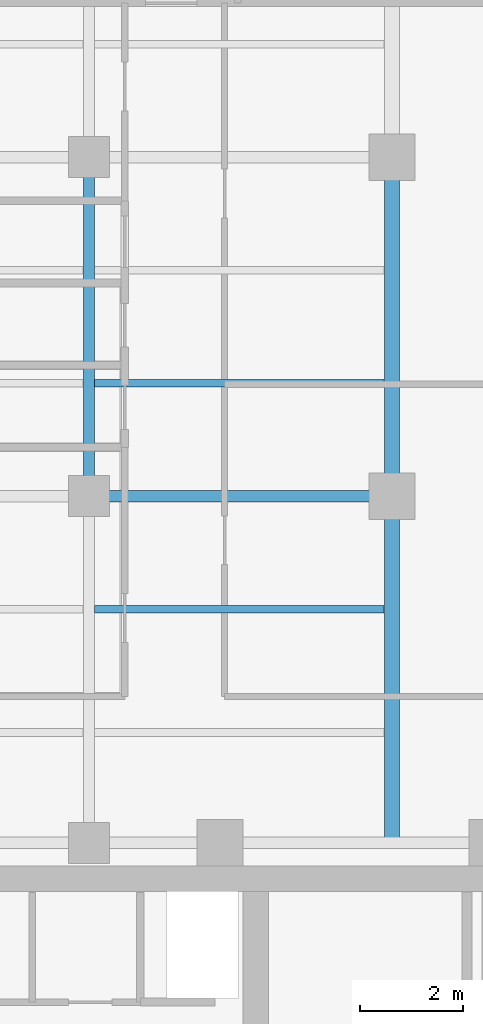
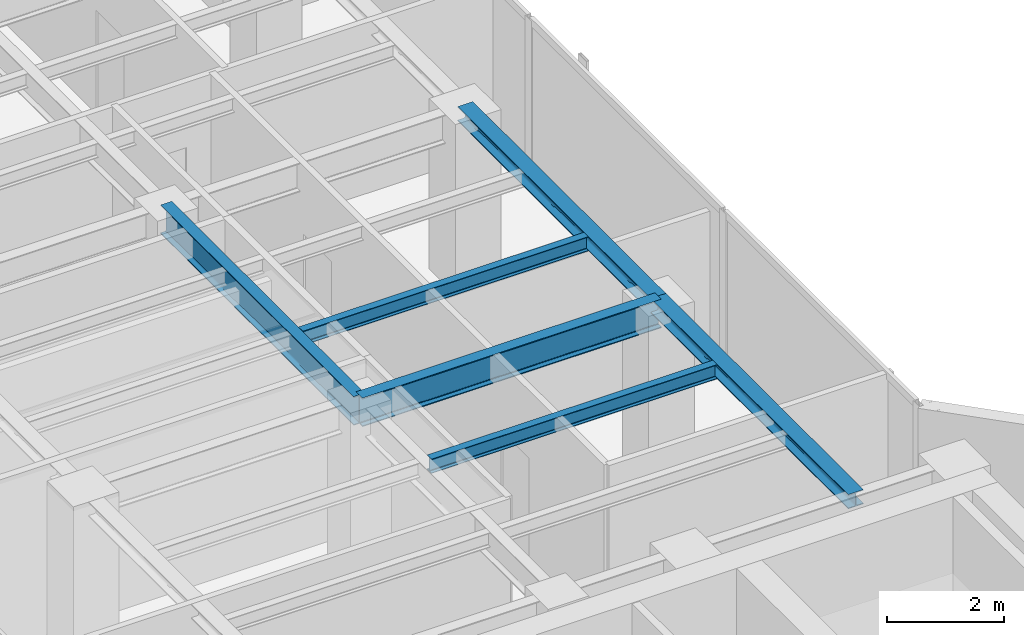
# One storey, part 9 of 24: 6 beams.
"""IFC4 building model written with IfcOpenShell, lengths in metres."""

from ifc_helpers import new_model, si_unit, direction, frame, origin, origin_2d, place, context, subcontext, project, spatial, i_section, extrude, material, material_profile, profile_set, type_object, element, save


model = new_model("IFC4")

# Units and contexts
model_context = context("Model", 3, precision=1e-05, world=origin(), true_north=direction((0.0, 1.0)))
body_context = subcontext(model_context, "Body", "Model", "MODEL_VIEW")
ifc_project = project(units=[si_unit("LENGTHUNIT", "METRE"), si_unit("AREAUNIT", "SQUARE_METRE"), si_unit("VOLUMEUNIT", "CUBIC_METRE"), si_unit("PLANEANGLEUNIT", "RADIAN"), si_unit("MASSUNIT", "GRAM", prefix="KILO")], contexts=[model_context])

# Site, building, storey
site_placement = place(None, origin())
site = spatial("IfcSite", under=ifc_project, at=site_placement, CompositionType="ELEMENT")
building_placement = place(site_placement, origin())
building = spatial("IfcBuilding", under=site, at=building_placement, Name="Kolvaren Waterfront Exchange", CompositionType="ELEMENT")
storey_placement = place(building_placement, frame((0.0, 0.0, 300.800048828125)))
storey = spatial("IfcBuildingStorey", under=building, at=storey_placement, Name="L77", CompositionType="ELEMENT", Elevation=300.800048828125)

# Beams
ifc_material = material(Name="Steel S355", Category="steel")
ifc_material_profile_1 = material_profile(ifc_material, i_section(OverallWidth=0.300048828125, OverallDepth=0.300048828125, WebThickness=0.010986328125, FlangeThickness=0.01904296875, FilletRadius=0.027099609375, at=origin_2d()), Name="HEB300")
ifc_profile_set_1 = profile_set([ifc_material_profile_1], Name="Steel S355")
beam_type_1 = type_object("IfcBeamType", Name="STR-BM-HEB300", PredefinedType="SPANDREL", material=ifc_profile_set_1)
beam_1_placement = place(storey_placement, frame((18.800048828125, 24.449951171875, 3.409912109375), z_axis=(0.0, 1.0, 0.0), x_axis=(-1.0, 0.0, 0.0)))
element("IfcBeam", 1, at=beam_1_placement, inside=storey, type_object=beam_type_1, Name="L77 north-arm edge beam 1", PredefinedType="SPANDREL", context=body_context, shape_type="SweptSolid", body=[
    extrude(i_section(OverallWidth=0.300048828125, OverallDepth=0.300048828125, WebThickness=0.010986328125, FlangeThickness=0.01904296875, FilletRadius=0.027099609375, at=origin_2d()), origin(), (0.0, 0.0, 1.0), 6.75),
])
beam_2_placement = place(storey_placement, frame((18.800048828125, 31.199951171875, 3.409912109375), z_axis=(0.0, 1.0, 0.0), x_axis=(-1.0, 0.0, 0.0)))
element("IfcBeam", 2, at=beam_2_placement, inside=storey, type_object=beam_type_1, Name="L77 north-arm edge beam 2", PredefinedType="SPANDREL", context=body_context, shape_type="SweptSolid", body=[
    extrude(i_section(OverallWidth=0.300048828125, OverallDepth=0.300048828125, WebThickness=0.010986328125, FlangeThickness=0.01904296875, FilletRadius=0.027099609375, at=origin_2d()), origin(), (0.0, 0.0, 1.0), 6.60009765625),
])
ifc_material_profile_2 = material_profile(ifc_material, i_section(OverallWidth=0.14990234375, OverallDepth=0.300048828125, WebThickness=0.007080078125, FlangeThickness=0.0107421875, FilletRadius=0.014892578125, at=origin_2d()), Name="IPE300")
ifc_profile_set_2 = profile_set([ifc_material_profile_2], Name="Steel S355")
beam_type_2 = type_object("IfcBeamType", Name="STR-BM-IPE300", PredefinedType="JOIST", material=ifc_profile_set_2)
for number, where, z_axis, x_axis, name in (
    (3, (13.011962890625, 29.0, 3.409912109375), (1.0, 0.0, 0.0), (0.0, 1.0, 0.0), "L77 north-arm composite joist 2B"),
    (4, (13.011962890625, 33.39990234375, 3.409912109375), (1.0, 0.0, 0.0), (0.0, 1.0, 0.0), "L77 north-arm composite joist 3B"),
):
    element("IfcBeam", number, at=place(storey_placement, frame(where, z_axis=z_axis, x_axis=x_axis)), inside=storey, type_object=beam_type_2, Name=name, PredefinedType="JOIST", context=body_context, shape_type="SweptSolid", body=[
        extrude(i_section(OverallWidth=0.14990234375, OverallDepth=0.300048828125, WebThickness=0.007080078125, FlangeThickness=0.0107421875, FilletRadius=0.014892578125, at=origin_2d()), origin(), (0.0, 0.0, 1.0), 5.635986328125),
    ])
ifc_material_profile_3 = material_profile(ifc_material, i_section(OverallWidth=0.219970703125, OverallDepth=0.60009765625, WebThickness=0.011962890625, FlangeThickness=0.01904296875, FilletRadius=0.02392578125, at=origin_2d()), Name="IPE600")
ifc_profile_set_3 = profile_set([ifc_material_profile_3], Name="Steel S355")
beam_type_3 = type_object("IfcBeamType", Name="STR-BM-IPE600", PredefinedType="BEAM", material=ifc_profile_set_3)
beam_3_placement = place(storey_placement, frame((12.89990234375, 31.199951171875, 3.260009765625), z_axis=(1.0, 0.0, 0.0), x_axis=(0.0, 1.0, 0.0)))
element("IfcBeam", 5, at=beam_3_placement, inside=storey, type_object=beam_type_3, Name="L77 north-arm girder 2B", PredefinedType="BEAM", context=body_context, shape_type="SweptSolid", body=[
    extrude(i_section(OverallWidth=0.219970703125, OverallDepth=0.60009765625, WebThickness=0.011962890625, FlangeThickness=0.01904296875, FilletRadius=0.02392578125, at=origin_2d()), origin(), (0.0, 0.0, 1.0), 5.900146484375),
])
beam_4_placement = place(storey_placement, frame((12.89990234375, 31.199951171875, 3.260009765625), z_axis=(0.0, 1.0, 0.0), x_axis=(-1.0, 0.0, 0.0)))
element("IfcBeam", 6, at=beam_4_placement, inside=storey, type_object=beam_type_3, Name="L77 north-arm edge beam 2", PredefinedType="BEAM", context=body_context, shape_type="SweptSolid", body=[
    extrude(i_section(OverallWidth=0.219970703125, OverallDepth=0.60009765625, WebThickness=0.011962890625, FlangeThickness=0.01904296875, FilletRadius=0.02392578125, at=origin_2d()), origin(), (0.0, 0.0, 1.0), 6.60009765625),
])

save(model, "model.ifc")
